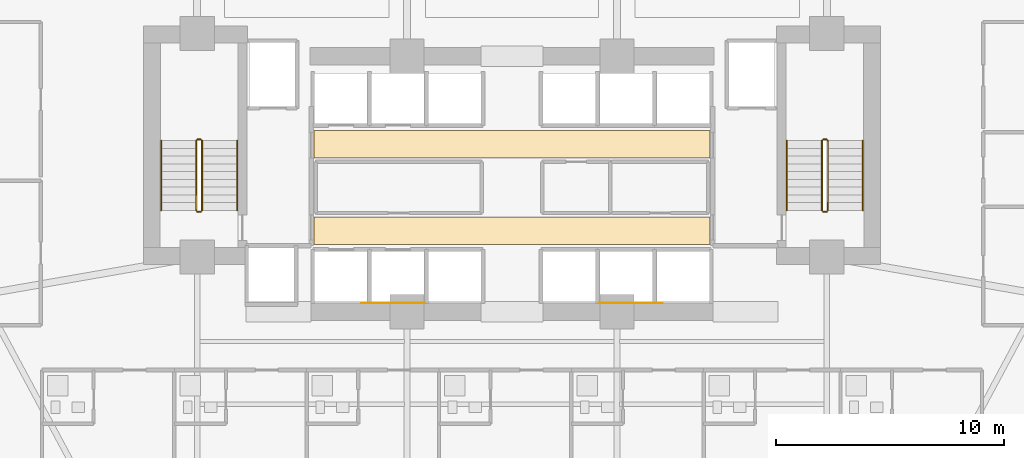
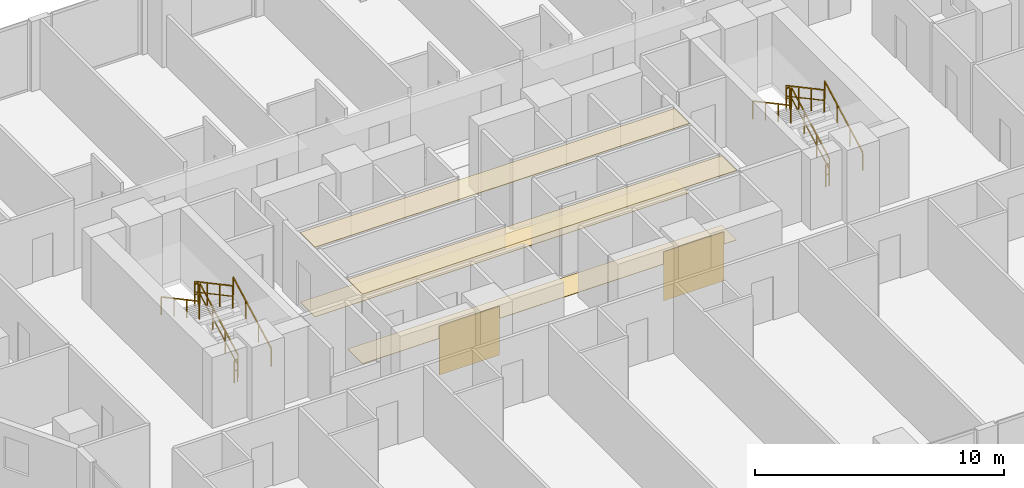
# One storey, part 27 of 29: 12 railings, 6 coverings.
"""IFC4 building model written with IfcOpenShell, lengths in metres."""

from ifc_helpers import new_model, si_unit, direction, frame, origin, origin_2d, place, context, subcontext, project, spatial, polyline, rectangle, outline, extrude, material, layer, layer_set, type_object, element, save


model = new_model("IFC4")

# Units and contexts
model_context = context("Model", 3, precision=1e-05, world=origin(), true_north=direction((0.0, 1.0)))
body_context = subcontext(model_context, "Body", "Model", "MODEL_VIEW")
ifc_project = project(units=[si_unit("LENGTHUNIT", "METRE"), si_unit("AREAUNIT", "SQUARE_METRE"), si_unit("VOLUMEUNIT", "CUBIC_METRE"), si_unit("PLANEANGLEUNIT", "RADIAN"), si_unit("MASSUNIT", "GRAM", prefix="KILO")], contexts=[model_context])

# Site, building, storey
site_placement = place(None, origin())
site = spatial("IfcSite", under=ifc_project, at=site_placement, CompositionType="ELEMENT")
building_placement = place(site_placement, origin())
building = spatial("IfcBuilding", under=site, at=building_placement, Name="Zuhayl Quay Hotel", CompositionType="ELEMENT")
storey_placement = place(building_placement, frame((0.0, 0.0, 150.39990234375)))
storey = spatial("IfcBuildingStorey", under=building, at=storey_placement, Name="L38", CompositionType="ELEMENT", Elevation=150.39990234375)

# Coverings
ifc_material_1 = material(Name="Acoustic Mineral-Fibre Gypsum Board")
ifc_layer_1 = layer(ifc_material_1, 0.02490234375, Name="Acoustic Mineral-Fibre Gypsum Board")
ifc_layer_set_1 = layer_set([ifc_layer_1], Name="Acoustic Mineral-Fibre Gypsum Board")
covering_type_1 = type_object("IfcCoveringType", Name="CV_CEIL_ACOUSTIC", PredefinedType="CEILING", material=ifc_layer_set_1)
covering_1_placement = place(storey_placement, frame((0.0, 0.0, 3.405029296875)))
element("IfcCovering", 1, at=covering_1_placement, inside=storey, type_object=covering_type_1, Name="L38 Suspended Acoustic Lobby Ceiling S", PredefinedType="CEILING", context=body_context, shape_type="SweptSolid", body=[
    extrude(outline(polyline([(-8.679931640625, 5.10009765625), (8.679931640625, 5.10009765625), (8.679931640625, 6.300048828125), (-8.679931640625, 6.300048828125), (-8.679931640625, 5.10009765625)])), origin(), (0.0, 0.0, 1.0), 0.025146484375),
])
covering_2_placement = place(storey_placement, frame((0.0, 0.0, 3.405029296875)))
element("IfcCovering", 2, at=covering_2_placement, inside=storey, type_object=covering_type_1, Name="L38 Suspended Acoustic Lobby Ceiling N", PredefinedType="CEILING", context=body_context, shape_type="SweptSolid", body=[
    extrude(outline(polyline([(-8.679931640625, 8.89990234375), (8.679931640625, 8.89990234375), (8.679931640625, 10.10009765625), (-8.679931640625, 10.10009765625), (-8.679931640625, 8.89990234375)])), origin(), (0.0, 0.0, 1.0), 0.025146484375),
])
ifc_material_2 = material(Name="Polished Limestone Terrazzo", Category="masonry")
ifc_layer_2 = layer(ifc_material_2, 0.02001953125, Name="Polished Limestone Terrazzo", Category="masonry")
ifc_layer_set_2 = layer_set([ifc_layer_2], Name="Polished Limestone Terrazzo")
covering_type_2 = type_object("IfcCoveringType", Name="CV_FLOOR_TERRAZZO", PredefinedType="FLOORING", material=ifc_layer_set_2)
covering_3_placement = place(storey_placement, origin())
element("IfcCovering", 3, at=covering_3_placement, inside=storey, type_object=covering_type_2, Name="L38 Honed Limestone Terrazzo Lobby Flooring S", PredefinedType="FLOORING", context=body_context, shape_type="SweptSolid", body=[
    extrude(outline(polyline([(-8.679931640625, 5.10009765625), (8.679931640625, 5.10009765625), (8.679931640625, 6.300048828125), (-8.679931640625, 6.300048828125), (-8.679931640625, 5.10009765625)])), origin(), (0.0, 0.0, 1.0), 0.02001953125),
])
covering_4_placement = place(storey_placement, origin())
element("IfcCovering", 4, at=covering_4_placement, inside=storey, type_object=covering_type_2, Name="L38 Honed Limestone Terrazzo Lobby Flooring N", PredefinedType="FLOORING", context=body_context, shape_type="SweptSolid", body=[
    extrude(outline(polyline([(-8.679931640625, 8.89990234375), (8.679931640625, 8.89990234375), (8.679931640625, 10.10009765625), (-8.679931640625, 10.10009765625), (-8.679931640625, 8.89990234375)])), origin(), (0.0, 0.0, 1.0), 0.02001953125),
])
ifc_material_3 = material(Name="Acoustic Walnut Feature Timber", Category="wood")
ifc_layer_3 = layer(ifc_material_3, 0.02197265625, Name="Acoustic Walnut Feature Timber", Category="wood")
ifc_layer_set_3 = layer_set([ifc_layer_3], Name="Acoustic Walnut Feature Timber")
covering_type_3 = type_object("IfcCoveringType", Name="CV_WALL_CLAD", PredefinedType="CLADDING", material=ifc_layer_set_3)
for number, where, z_axis, x_axis, name in (
    (5, (-5.199951171875, 2.535888671875, 0.300048828125), (0.0, 0.0, 1.0), (1.0, 0.0, 0.0), "L38 Feature Lobby Walnut Wall Cladding W"),
    (6, (5.199951171875, 2.535888671875, 0.300048828125), (0.0, 0.0, 1.0), (1.0, 0.0, 0.0), "L38 Feature Lobby Walnut Wall Cladding E"),
):
    element("IfcCovering", number, at=place(storey_placement, frame(where, z_axis=z_axis, x_axis=x_axis)), inside=storey, type_object=covering_type_3, Name=name, PredefinedType="CLADDING", context=body_context, shape_type="SweptSolid", body=[
        extrude(rectangle(XDim=2.800048828125, YDim=0.02197265625, at=origin_2d()), origin(), (0.0, 0.0, 1.0), 2.39990234375),
    ])

# Railings
ifc_material_4 = material(Name="Steel ASTM A992 Grade 50", Category="steel")
railing_type_1 = type_object("IfcRailingType", Name="RL_GUARD_1100", PredefinedType="GUARDRAIL", material=ifc_material_4)
railing_1_placement = place(storey_placement, frame((-13.590087890625, 6.590087890625, 0.1826171875)))
element("IfcRailing", 7, at=railing_1_placement, inside=storey, type_object=railing_type_1, Name="L38 ST1 stair guard 1", PredefinedType="GUARDRAIL", context=body_context, shape_type="SweptSolid", body=[
    extrude(rectangle(XDim=0.048095703125, YDim=0.048095703125, at=origin_2d()), frame((0.0, 0.0, 1.09619140625), z_axis=(0.0, 0.88107310026, 0.472980117973), x_axis=(-1.0, 0.0, 0.0)), (0.0, 0.0, 1.0), 3.472900390625),
    extrude(rectangle(XDim=0.0361328125, YDim=0.0361328125, at=origin_2d()), frame((0.0, 0.0, 0.58251953125), z_axis=(0.0, 0.88107310026, 0.472980117973), x_axis=(-1.0, 0.0, 0.0)), (0.0, 0.0, 1.0), 3.472900390625),
    extrude(rectangle(XDim=0.0419921875, YDim=0.0419921875, at=origin_2d()), origin(), (0.0, 0.0, 1.0), 1.072021484375),
    extrude(rectangle(XDim=0.0419921875, YDim=0.0419921875, at=origin_2d()), frame((0.0, 1.02001953125, 0.547607421875)), (0.0, 0.0, 1.0), 1.072021484375),
    extrude(rectangle(XDim=0.0419921875, YDim=0.0419921875, at=origin_2d()), frame((0.0, 2.039794921875, 1.094970703125)), (0.0, 0.0, 1.0), 1.072021484375),
    extrude(rectangle(XDim=0.0419921875, YDim=0.0419921875, at=origin_2d()), frame((0.0, 3.059814453125, 1.642578125)), (0.0, 0.0, 1.0), 1.072021484375),
])
railing_2_placement = place(storey_placement, frame((-13.639892578125, 9.699951171875, 1.8251953125)))
element("IfcRailing", 8, at=railing_2_placement, inside=storey, type_object=railing_type_1, Name="L38 ST1 stair guard 2", PredefinedType="GUARDRAIL", context=body_context, shape_type="SweptSolid", body=[
    extrude(rectangle(XDim=0.048095703125, YDim=0.048095703125, at=origin_2d()), frame((0.0, 0.0, 1.09619140625), z_axis=(-1.0, 0.0, 0.0), x_axis=(0.0, -1.0, 0.0)), (0.0, 0.0, 1.0), 0.150146484375),
    extrude(rectangle(XDim=0.0361328125, YDim=0.0361328125, at=origin_2d()), frame((0.0, 0.0, 0.58251953125), z_axis=(-1.0, 0.0, 0.0), x_axis=(0.0, -1.0, 0.0)), (0.0, 0.0, 1.0), 0.150146484375),
    extrude(rectangle(XDim=0.0419921875, YDim=0.0419921875, at=origin_2d()), origin(), (0.0, 0.0, 1.0), 1.072021484375),
    extrude(rectangle(XDim=0.0419921875, YDim=0.0419921875, at=origin_2d()), frame((-0.150146484375, 0.0, 0.0)), (0.0, 0.0, 1.0), 1.072021484375),
])
railing_3_placement = place(storey_placement, frame((-13.840087890625, 9.64990234375, 2.007568359375)))
element("IfcRailing", 9, at=railing_3_placement, inside=storey, type_object=railing_type_1, Name="L38 ST1 stair guard 3", PredefinedType="GUARDRAIL", context=body_context, shape_type="SweptSolid", body=[
    extrude(rectangle(XDim=0.048095703125, YDim=0.048095703125, at=origin_2d()), frame((0.0, 0.0, 1.09619140625), z_axis=(0.0, -0.88107310026, 0.472980117973), x_axis=(1.0, 0.0, 0.0)), (0.0, 0.0, 1.0), 3.472900390625),
    extrude(rectangle(XDim=0.0361328125, YDim=0.0361328125, at=origin_2d()), frame((0.0, 0.0, 0.58251953125), z_axis=(0.0, -0.88107310026, 0.472980117973), x_axis=(1.0, 0.0, 0.0)), (0.0, 0.0, 1.0), 3.472900390625),
    extrude(rectangle(XDim=0.0419921875, YDim=0.0419921875, at=origin_2d()), origin(), (0.0, 0.0, 1.0), 1.072021484375),
    extrude(rectangle(XDim=0.0419921875, YDim=0.0419921875, at=origin_2d()), frame((0.0, -1.02001953125, 0.547607421875)), (0.0, 0.0, 1.0), 1.072021484375),
    extrude(rectangle(XDim=0.0419921875, YDim=0.0419921875, at=origin_2d()), frame((0.0, -2.039794921875, 1.094970703125)), (0.0, 0.0, 1.0), 1.072021484375),
    extrude(rectangle(XDim=0.0419921875, YDim=0.0419921875, at=origin_2d()), frame((0.0, -3.059814453125, 1.642578125)), (0.0, 0.0, 1.0), 1.072021484375),
])
railing_4_placement = place(storey_placement, frame((-13.639892578125, 6.5400390625, 0.0)))
element("IfcRailing", 10, at=railing_4_placement, inside=storey, type_object=railing_type_1, Name="L38 ST1 stair guard 4", PredefinedType="GUARDRAIL", context=body_context, shape_type="SweptSolid", body=[
    extrude(rectangle(XDim=0.048095703125, YDim=0.048095703125, at=origin_2d()), frame((0.0, 0.0, 1.09619140625), z_axis=(-1.0, 0.0, 0.0), x_axis=(0.0, -1.0, 0.0)), (0.0, 0.0, 1.0), 0.150146484375),
    extrude(rectangle(XDim=0.0361328125, YDim=0.0361328125, at=origin_2d()), frame((0.0, 0.0, 0.58251953125), z_axis=(-1.0, 0.0, 0.0), x_axis=(0.0, -1.0, 0.0)), (0.0, 0.0, 1.0), 0.150146484375),
    extrude(rectangle(XDim=0.0419921875, YDim=0.0419921875, at=origin_2d()), origin(), (0.0, 0.0, 1.0), 1.072021484375),
    extrude(rectangle(XDim=0.0419921875, YDim=0.0419921875, at=origin_2d()), frame((-0.150146484375, 0.0, 0.0)), (0.0, 0.0, 1.0), 1.072021484375),
])
railing_5_placement = place(storey_placement, frame((13.840087890625, 6.590087890625, 0.1826171875)))
element("IfcRailing", 11, at=railing_5_placement, inside=storey, type_object=railing_type_1, Name="L38 ST2 stair guard 1", PredefinedType="GUARDRAIL", context=body_context, shape_type="SweptSolid", body=[
    extrude(rectangle(XDim=0.048095703125, YDim=0.048095703125, at=origin_2d()), frame((0.0, 0.0, 1.09619140625), z_axis=(0.0, 0.88107310026, 0.472980117973), x_axis=(-1.0, 0.0, 0.0)), (0.0, 0.0, 1.0), 3.472900390625),
    extrude(rectangle(XDim=0.0361328125, YDim=0.0361328125, at=origin_2d()), frame((0.0, 0.0, 0.58251953125), z_axis=(0.0, 0.88107310026, 0.472980117973), x_axis=(-1.0, 0.0, 0.0)), (0.0, 0.0, 1.0), 3.472900390625),
    extrude(rectangle(XDim=0.0419921875, YDim=0.0419921875, at=origin_2d()), origin(), (0.0, 0.0, 1.0), 1.072021484375),
    extrude(rectangle(XDim=0.0419921875, YDim=0.0419921875, at=origin_2d()), frame((0.0, 1.02001953125, 0.547607421875)), (0.0, 0.0, 1.0), 1.072021484375),
    extrude(rectangle(XDim=0.0419921875, YDim=0.0419921875, at=origin_2d()), frame((0.0, 2.039794921875, 1.094970703125)), (0.0, 0.0, 1.0), 1.072021484375),
    extrude(rectangle(XDim=0.0419921875, YDim=0.0419921875, at=origin_2d()), frame((0.0, 3.059814453125, 1.642578125)), (0.0, 0.0, 1.0), 1.072021484375),
])
railing_6_placement = place(storey_placement, frame((13.7900390625, 9.699951171875, 1.8251953125)))
element("IfcRailing", 12, at=railing_6_placement, inside=storey, type_object=railing_type_1, Name="L38 ST2 stair guard 2", PredefinedType="GUARDRAIL", context=body_context, shape_type="SweptSolid", body=[
    extrude(rectangle(XDim=0.048095703125, YDim=0.048095703125, at=origin_2d()), frame((0.0, 0.0, 1.09619140625), z_axis=(-1.0, 0.0, 0.0), x_axis=(0.0, -1.0, 0.0)), (0.0, 0.0, 1.0), 0.150146484375),
    extrude(rectangle(XDim=0.0361328125, YDim=0.0361328125, at=origin_2d()), frame((0.0, 0.0, 0.58251953125), z_axis=(-1.0, 0.0, 0.0), x_axis=(0.0, -1.0, 0.0)), (0.0, 0.0, 1.0), 0.150146484375),
    extrude(rectangle(XDim=0.0419921875, YDim=0.0419921875, at=origin_2d()), origin(), (0.0, 0.0, 1.0), 1.072021484375),
    extrude(rectangle(XDim=0.0419921875, YDim=0.0419921875, at=origin_2d()), frame((-0.150146484375, 0.0, 0.0)), (0.0, 0.0, 1.0), 1.072021484375),
])
railing_7_placement = place(storey_placement, frame((13.590087890625, 9.64990234375, 2.007568359375)))
element("IfcRailing", 13, at=railing_7_placement, inside=storey, type_object=railing_type_1, Name="L38 ST2 stair guard 3", PredefinedType="GUARDRAIL", context=body_context, shape_type="SweptSolid", body=[
    extrude(rectangle(XDim=0.048095703125, YDim=0.048095703125, at=origin_2d()), frame((0.0, 0.0, 1.09619140625), z_axis=(0.0, -0.88107310026, 0.472980117973), x_axis=(1.0, 0.0, 0.0)), (0.0, 0.0, 1.0), 3.472900390625),
    extrude(rectangle(XDim=0.0361328125, YDim=0.0361328125, at=origin_2d()), frame((0.0, 0.0, 0.58251953125), z_axis=(0.0, -0.88107310026, 0.472980117973), x_axis=(1.0, 0.0, 0.0)), (0.0, 0.0, 1.0), 3.472900390625),
    extrude(rectangle(XDim=0.0419921875, YDim=0.0419921875, at=origin_2d()), origin(), (0.0, 0.0, 1.0), 1.072021484375),
    extrude(rectangle(XDim=0.0419921875, YDim=0.0419921875, at=origin_2d()), frame((0.0, -1.02001953125, 0.547607421875)), (0.0, 0.0, 1.0), 1.072021484375),
    extrude(rectangle(XDim=0.0419921875, YDim=0.0419921875, at=origin_2d()), frame((0.0, -2.039794921875, 1.094970703125)), (0.0, 0.0, 1.0), 1.072021484375),
    extrude(rectangle(XDim=0.0419921875, YDim=0.0419921875, at=origin_2d()), frame((0.0, -3.059814453125, 1.642578125)), (0.0, 0.0, 1.0), 1.072021484375),
])
railing_8_placement = place(storey_placement, frame((13.7900390625, 6.5400390625, 0.0)))
element("IfcRailing", 14, at=railing_8_placement, inside=storey, type_object=railing_type_1, Name="L38 ST2 stair guard 4", PredefinedType="GUARDRAIL", context=body_context, shape_type="SweptSolid", body=[
    extrude(rectangle(XDim=0.048095703125, YDim=0.048095703125, at=origin_2d()), frame((0.0, 0.0, 1.09619140625), z_axis=(-1.0, 0.0, 0.0), x_axis=(0.0, -1.0, 0.0)), (0.0, 0.0, 1.0), 0.150146484375),
    extrude(rectangle(XDim=0.0361328125, YDim=0.0361328125, at=origin_2d()), frame((0.0, 0.0, 0.58251953125), z_axis=(-1.0, 0.0, 0.0), x_axis=(0.0, -1.0, 0.0)), (0.0, 0.0, 1.0), 0.150146484375),
    extrude(rectangle(XDim=0.0419921875, YDim=0.0419921875, at=origin_2d()), origin(), (0.0, 0.0, 1.0), 1.072021484375),
    extrude(rectangle(XDim=0.0419921875, YDim=0.0419921875, at=origin_2d()), frame((-0.150146484375, 0.0, 0.0)), (0.0, 0.0, 1.0), 1.072021484375),
])
railing_type_2 = type_object("IfcRailingType", Name="RL_HANDRAIL_920", PredefinedType="HANDRAIL", material=ifc_material_4)
railing_9_placement = place(storey_placement, frame((-12.050048828125, 6.590087890625, 0.1826171875)))
element("IfcRailing", 15, at=railing_9_placement, inside=storey, type_object=railing_type_2, Name="L38 ST1 stair handrail 1", PredefinedType="HANDRAIL", context=body_context, shape_type="SweptSolid", body=[
    extrude(rectangle(XDim=0.048095703125, YDim=0.048095703125, at=origin_2d()), frame((0.0, 0.0, 0.8759765625), z_axis=(0.0, 0.88107310026, 0.472980117973), x_axis=(-1.0, 0.0, 0.0)), (0.0, 0.0, 1.0), 3.472900390625),
    extrude(rectangle(XDim=0.0419921875, YDim=0.0419921875, at=origin_2d()), origin(), (0.0, 0.0, 1.0), 0.851806640625),
    extrude(rectangle(XDim=0.0419921875, YDim=0.0419921875, at=origin_2d()), frame((0.0, 1.02001953125, 0.547607421875)), (0.0, 0.0, 1.0), 0.851806640625),
    extrude(rectangle(XDim=0.0419921875, YDim=0.0419921875, at=origin_2d()), frame((0.0, 2.039794921875, 1.094970703125)), (0.0, 0.0, 1.0), 0.851806640625),
    extrude(rectangle(XDim=0.0419921875, YDim=0.0419921875, at=origin_2d()), frame((0.0, 3.059814453125, 1.642578125)), (0.0, 0.0, 1.0), 0.851806640625),
])
railing_10_placement = place(storey_placement, frame((-15.3798828125, 9.64990234375, 2.007568359375)))
element("IfcRailing", 16, at=railing_10_placement, inside=storey, type_object=railing_type_2, Name="L38 ST1 stair handrail 2", PredefinedType="HANDRAIL", context=body_context, shape_type="SweptSolid", body=[
    extrude(rectangle(XDim=0.048095703125, YDim=0.048095703125, at=origin_2d()), frame((0.0, 0.0, 0.8759765625), z_axis=(0.0, -0.88107310026, 0.472980117973), x_axis=(1.0, 0.0, 0.0)), (0.0, 0.0, 1.0), 3.472900390625),
    extrude(rectangle(XDim=0.0419921875, YDim=0.0419921875, at=origin_2d()), origin(), (0.0, 0.0, 1.0), 0.851806640625),
    extrude(rectangle(XDim=0.0419921875, YDim=0.0419921875, at=origin_2d()), frame((0.0, -1.02001953125, 0.547607421875)), (0.0, 0.0, 1.0), 0.851806640625),
    extrude(rectangle(XDim=0.0419921875, YDim=0.0419921875, at=origin_2d()), frame((0.0, -2.039794921875, 1.094970703125)), (0.0, 0.0, 1.0), 0.851806640625),
    extrude(rectangle(XDim=0.0419921875, YDim=0.0419921875, at=origin_2d()), frame((0.0, -3.059814453125, 1.642578125)), (0.0, 0.0, 1.0), 0.851806640625),
])
railing_11_placement = place(storey_placement, frame((15.3798828125, 6.590087890625, 0.1826171875)))
element("IfcRailing", 17, at=railing_11_placement, inside=storey, type_object=railing_type_2, Name="L38 ST2 stair handrail 1", PredefinedType="HANDRAIL", context=body_context, shape_type="SweptSolid", body=[
    extrude(rectangle(XDim=0.048095703125, YDim=0.048095703125, at=origin_2d()), frame((0.0, 0.0, 0.8759765625), z_axis=(0.0, 0.88107310026, 0.472980117973), x_axis=(-1.0, 0.0, 0.0)), (0.0, 0.0, 1.0), 3.472900390625),
    extrude(rectangle(XDim=0.0419921875, YDim=0.0419921875, at=origin_2d()), origin(), (0.0, 0.0, 1.0), 0.851806640625),
    extrude(rectangle(XDim=0.0419921875, YDim=0.0419921875, at=origin_2d()), frame((0.0, 1.02001953125, 0.547607421875)), (0.0, 0.0, 1.0), 0.851806640625),
    extrude(rectangle(XDim=0.0419921875, YDim=0.0419921875, at=origin_2d()), frame((0.0, 2.039794921875, 1.094970703125)), (0.0, 0.0, 1.0), 0.851806640625),
    extrude(rectangle(XDim=0.0419921875, YDim=0.0419921875, at=origin_2d()), frame((0.0, 3.059814453125, 1.642578125)), (0.0, 0.0, 1.0), 0.851806640625),
])
railing_12_placement = place(storey_placement, frame((12.050048828125, 9.64990234375, 2.007568359375)))
element("IfcRailing", 18, at=railing_12_placement, inside=storey, type_object=railing_type_2, Name="L38 ST2 stair handrail 2", PredefinedType="HANDRAIL", context=body_context, shape_type="SweptSolid", body=[
    extrude(rectangle(XDim=0.048095703125, YDim=0.048095703125, at=origin_2d()), frame((0.0, 0.0, 0.8759765625), z_axis=(0.0, -0.88107310026, 0.472980117973), x_axis=(1.0, 0.0, 0.0)), (0.0, 0.0, 1.0), 3.472900390625),
    extrude(rectangle(XDim=0.0419921875, YDim=0.0419921875, at=origin_2d()), origin(), (0.0, 0.0, 1.0), 0.851806640625),
    extrude(rectangle(XDim=0.0419921875, YDim=0.0419921875, at=origin_2d()), frame((0.0, -1.02001953125, 0.547607421875)), (0.0, 0.0, 1.0), 0.851806640625),
    extrude(rectangle(XDim=0.0419921875, YDim=0.0419921875, at=origin_2d()), frame((0.0, -2.039794921875, 1.094970703125)), (0.0, 0.0, 1.0), 0.851806640625),
    extrude(rectangle(XDim=0.0419921875, YDim=0.0419921875, at=origin_2d()), frame((0.0, -3.059814453125, 1.642578125)), (0.0, 0.0, 1.0), 0.851806640625),
])

save(model, "model.ifc")
